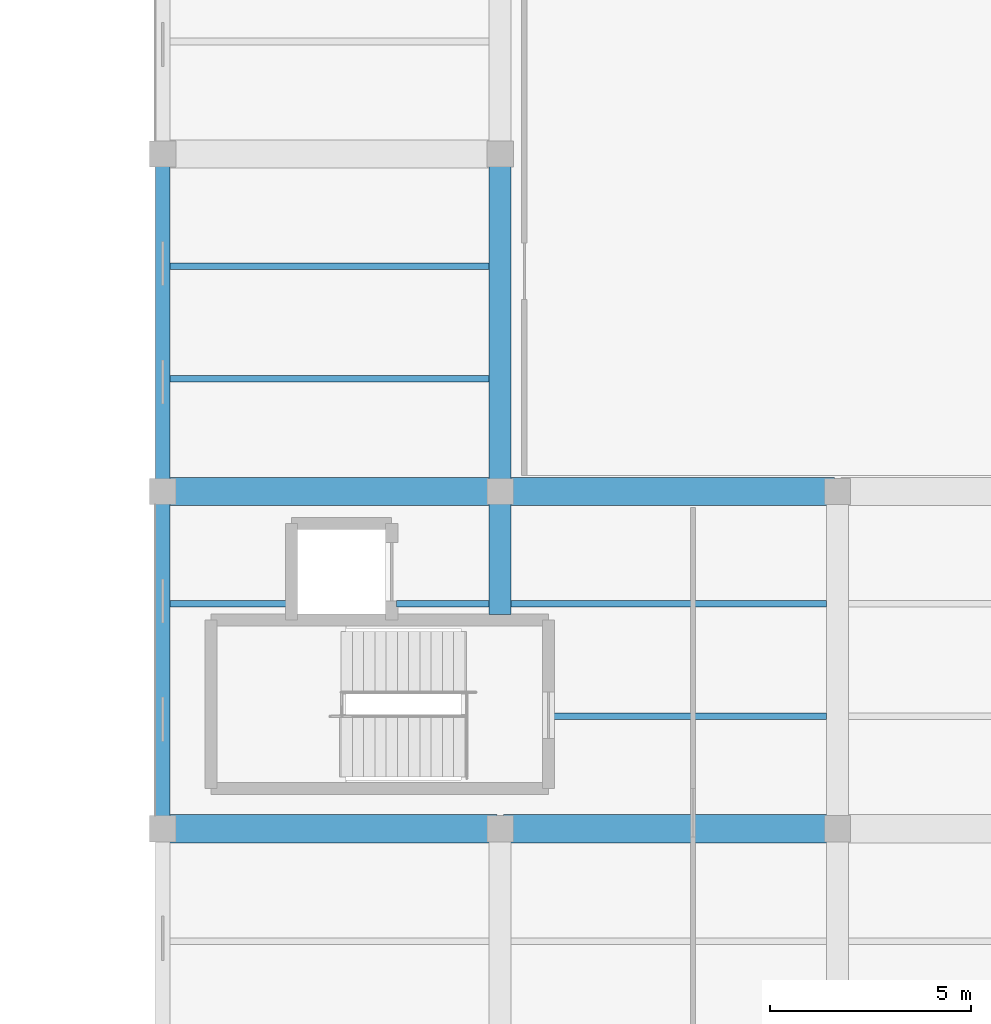
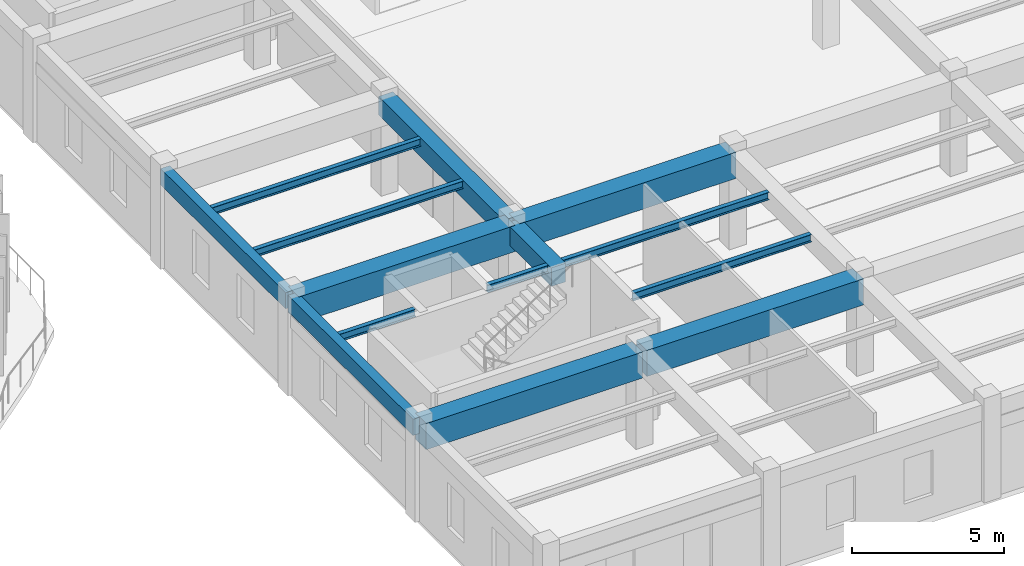
# One storey, part 87 of 138: 14 beams.
"""IFC4 building model written with IfcOpenShell, lengths in metres."""

from ifc_helpers import new_model, si_unit, direction, frame, origin, origin_2d, place, context, subcontext, project, spatial, rectangle, i_section, extrude, material, material_profile, profile_set, type_object, element, save


model = new_model("IFC4")

# Units and contexts
model_context = context("Model", 3, precision=1e-05, world=origin(), true_north=direction((0.0, 1.0)))
body_context = subcontext(model_context, "Body", "Model", "MODEL_VIEW")
ifc_project = project(units=[si_unit("LENGTHUNIT", "METRE"), si_unit("AREAUNIT", "SQUARE_METRE"), si_unit("VOLUMEUNIT", "CUBIC_METRE"), si_unit("PLANEANGLEUNIT", "RADIAN"), si_unit("MASSUNIT", "GRAM", prefix="KILO"), si_unit("THERMODYNAMICTEMPERATUREUNIT", "KELVIN"), si_unit("POWERUNIT", "WATT")], contexts=[model_context])

# Site, building, storey
site_placement = place(None, origin())
site = spatial("IfcSite", under=ifc_project, at=site_placement, CompositionType="ELEMENT")
building_placement = place(site_placement, origin())
building = spatial("IfcBuilding", under=site, at=building_placement, Name="Darbajah Civic Hall", CompositionType="ELEMENT")
storey_placement = place(building_placement, frame((0.0, 0.0, 9.60009765625)))
storey = spatial("IfcBuildingStorey", under=building, at=storey_placement, Name="L02", CompositionType="ELEMENT", Elevation=9.60009765625)

# Beams
ifc_material_1 = material(Name="Concrete C45/55", Category="concrete")
ifc_material_profile_1 = material_profile(ifc_material_1, rectangle(XDim=0.550048828125, YDim=0.75, at=origin_2d()), Name="RC BEAM 550x750")
ifc_profile_set_1 = profile_set([ifc_material_profile_1], Name="Concrete C45/55")
beam_type_1 = type_object("IfcBeamType", Name="RC BEAM 550x750", PredefinedType="BEAM", material=ifc_profile_set_1)
beam_1_placement = place(storey_placement, frame((153.0, 70.139892578125, 3.48486328125), z_axis=(0.0, 1.0, 0.0), x_axis=(-1.0, 0.0, 0.0)))
element("IfcBeam", 1, at=beam_1_placement, inside=storey, type_object=beam_type_1, Name="L02 beam BM-5575", PredefinedType="BEAM", context=body_context, shape_type="SweptSolid", body=[
    extrude(rectangle(XDim=0.550048828125, YDim=0.75, at=origin_2d()), origin(), (0.0, 0.0, 1.0), 2.980224609375),
])
beam_2_placement = place(storey_placement, frame((153.0, 73.280029296875, 3.48486328125), z_axis=(0.0, 1.0, 0.0), x_axis=(-1.0, 0.0, 0.0)))
element("IfcBeam", 2, at=beam_2_placement, inside=storey, type_object=beam_type_1, Name="L02 beam BM-5575", PredefinedType="BEAM", context=body_context, shape_type="SweptSolid", body=[
    extrude(rectangle(XDim=0.550048828125, YDim=0.75, at=origin_2d()), origin(), (0.0, 0.0, 1.0), 8.239990234375),
])
ifc_material_2 = material(Name="Concrete C50/60", Category="concrete")
ifc_material_profile_2 = material_profile(ifc_material_2, rectangle(XDim=0.699951171875, YDim=1.050048828125, at=origin_2d()), Name="RC GIRDER 700x1050")
ifc_profile_set_2 = profile_set([ifc_material_profile_2], Name="Concrete C50/60")
beam_type_2 = type_object("IfcBeamType", Name="RC GIRDER 700x1050", PredefinedType="BEAM", material=ifc_profile_set_2)
for number, where, z_axis, x_axis, name in (
    (3, (144.679931640625, 64.800048828125, 3.3349609375), (1.0, 0.0, 0.0), (0.0, 1.0, 0.0), "L02 beam BG-7010"),
    (4, (153.080078125, 64.800048828125, 3.3349609375), (1.0, 0.0, 0.0), (0.0, 1.0, 0.0), "L02 beam BG-7010"),
    (5, (144.679931640625, 73.199951171875, 3.3349609375), (1.0, 0.0, 0.0), (0.0, 1.0, 0.0), "L02 beam BG-7010"),
    (6, (153.080078125, 73.199951171875, 3.3349609375), (1.0, 0.0, 0.0), (0.0, 1.0, 0.0), "L02 beam BG-7010"),
):
    element("IfcBeam", number, at=place(storey_placement, frame(where, z_axis=z_axis, x_axis=x_axis)), inside=storey, type_object=beam_type_2, Name=name, PredefinedType="BEAM", context=body_context, shape_type="SweptSolid", body=[
        extrude(rectangle(XDim=0.699951171875, YDim=1.050048828125, at=origin_2d()), origin(), (0.0, 0.0, 1.0), 8.239990234375),
    ])
ifc_material_profile_3 = material_profile(ifc_material_1, rectangle(XDim=0.35009765625, YDim=0.64990234375, at=origin_2d()), Name="RC SPANDREL 350x650")
ifc_profile_set_3 = profile_set([ifc_material_profile_3], Name="Concrete C45/55")
beam_type_3 = type_object("IfcBeamType", Name="RC SPANDREL 350x650", PredefinedType="SPANDREL", material=ifc_profile_set_3)
beam_3_placement = place(storey_placement, frame((144.60009765625, 64.8798828125, 3.534912109375), z_axis=(0.0, 1.0, 0.0), x_axis=(-1.0, 0.0, 0.0)))
element("IfcBeam", 7, at=beam_3_placement, inside=storey, type_object=beam_type_3, Name="L02 beam SP-3565", PredefinedType="SPANDREL", context=body_context, shape_type="SweptSolid", body=[
    extrude(rectangle(XDim=0.35009765625, YDim=0.64990234375, at=origin_2d()), origin(), (0.0, 0.0, 1.0), 8.240234375),
])
beam_4_placement = place(storey_placement, frame((144.60009765625, 73.280029296875, 3.534912109375), z_axis=(0.0, 1.0, 0.0), x_axis=(-1.0, 0.0, 0.0)))
element("IfcBeam", 8, at=beam_4_placement, inside=storey, type_object=beam_type_3, Name="L02 beam SP-3565", PredefinedType="SPANDREL", context=body_context, shape_type="SweptSolid", body=[
    extrude(rectangle(XDim=0.35009765625, YDim=0.64990234375, at=origin_2d()), origin(), (0.0, 0.0, 1.0), 8.239990234375),
])
ifc_material_3 = material(Name="Steel S355JR", Category="steel")
ifc_material_profile_4 = material_profile(ifc_material_3, i_section(OverallWidth=0.165771484375, OverallDepth=0.306640625, WebThickness=0.006591796875, FlangeThickness=0.01171875, FilletRadius=0.0087890625, at=origin_2d()), Name="UB 305x165x46")
ifc_profile_set_4 = profile_set([ifc_material_profile_4], Name="Steel S355JR")
beam_type_4 = type_object("IfcBeamType", Name="UB 305x165x46", PredefinedType="JOIST", material=ifc_profile_set_4)
beam_5_placement = place(storey_placement, frame((144.77490234375, 70.39990234375, 3.70654296875), z_axis=(1.0, 0.0, 0.0), x_axis=(0.0, 1.0, 0.0)))
element("IfcBeam", 9, at=beam_5_placement, inside=storey, type_object=beam_type_4, Name="L02 beam SJ-305", PredefinedType="JOIST", context=body_context, shape_type="SweptSolid", body=[
    extrude(i_section(OverallWidth=0.165771484375, OverallDepth=0.306640625, WebThickness=0.006591796875, FlangeThickness=0.01171875, FilletRadius=0.0087890625, at=origin_2d()), origin(), (0.0, 0.0, 1.0), 2.905029296875),
])
beam_6_placement = place(storey_placement, frame((150.419921875, 70.39990234375, 3.70654296875), z_axis=(1.0, 0.0, 0.0), x_axis=(0.0, 1.0, 0.0)))
element("IfcBeam", 10, at=beam_6_placement, inside=storey, type_object=beam_type_4, Name="L02 beam SJ-305", PredefinedType="JOIST", context=body_context, shape_type="SweptSolid", body=[
    extrude(i_section(OverallWidth=0.165771484375, OverallDepth=0.306640625, WebThickness=0.006591796875, FlangeThickness=0.01171875, FilletRadius=0.0087890625, at=origin_2d()), origin(), (0.0, 0.0, 1.0), 2.30517578125),
])
for number, where, z_axis, x_axis, name in (
    (11, (144.77490234375, 76.0, 3.70654296875), (1.0, 0.0, 0.0), (0.0, 1.0, 0.0), "L02 beam SJ-305"),
    (12, (144.77490234375, 78.800048828125, 3.70654296875), (1.0, 0.0, 0.0), (0.0, 1.0, 0.0), "L02 beam SJ-305"),
):
    element("IfcBeam", number, at=place(storey_placement, frame(where, z_axis=z_axis, x_axis=x_axis)), inside=storey, type_object=beam_type_4, Name=name, PredefinedType="JOIST", context=body_context, shape_type="SweptSolid", body=[
        extrude(i_section(OverallWidth=0.165771484375, OverallDepth=0.306640625, WebThickness=0.006591796875, FlangeThickness=0.01171875, FilletRadius=0.0087890625, at=origin_2d()), origin(), (0.0, 0.0, 1.0), 7.9501953125),
    ])
beam_7_placement = place(storey_placement, frame((154.340087890625, 67.60009765625, 3.70654296875), z_axis=(1.0, 0.0, 0.0), x_axis=(0.0, 1.0, 0.0)))
element("IfcBeam", 13, at=beam_7_placement, inside=storey, type_object=beam_type_4, Name="L02 beam SJ-305", PredefinedType="JOIST", context=body_context, shape_type="SweptSolid", body=[
    extrude(i_section(OverallWidth=0.165771484375, OverallDepth=0.306640625, WebThickness=0.006591796875, FlangeThickness=0.01171875, FilletRadius=0.0087890625, at=origin_2d()), origin(), (0.0, 0.0, 1.0), 6.784912109375),
])
beam_8_placement = place(storey_placement, frame((153.27490234375, 70.39990234375, 3.70654296875), z_axis=(1.0, 0.0, 0.0), x_axis=(0.0, 1.0, 0.0)))
element("IfcBeam", 14, at=beam_8_placement, inside=storey, type_object=beam_type_4, Name="L02 beam SJ-305", PredefinedType="JOIST", context=body_context, shape_type="SweptSolid", body=[
    extrude(i_section(OverallWidth=0.165771484375, OverallDepth=0.306640625, WebThickness=0.006591796875, FlangeThickness=0.01171875, FilletRadius=0.0087890625, at=origin_2d()), origin(), (0.0, 0.0, 1.0), 7.85009765625),
])

save(model, "model.ifc")
